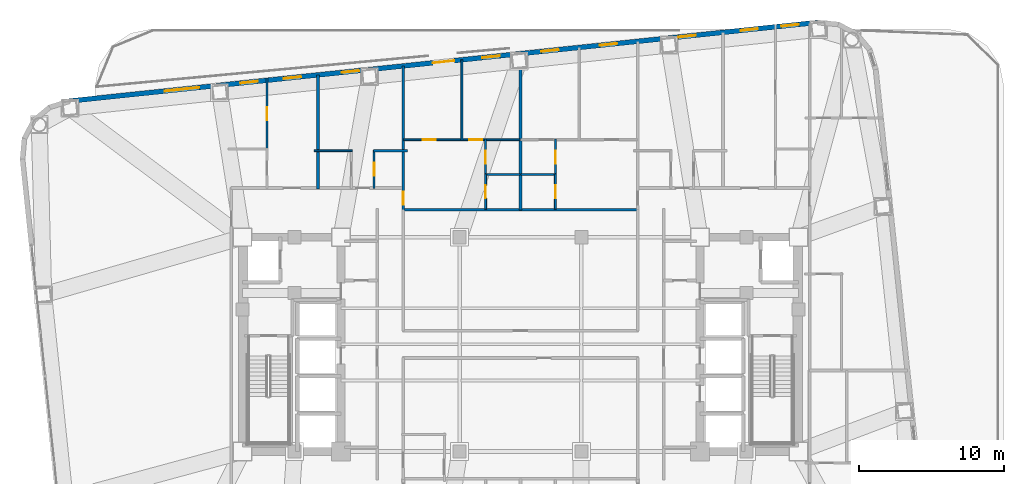
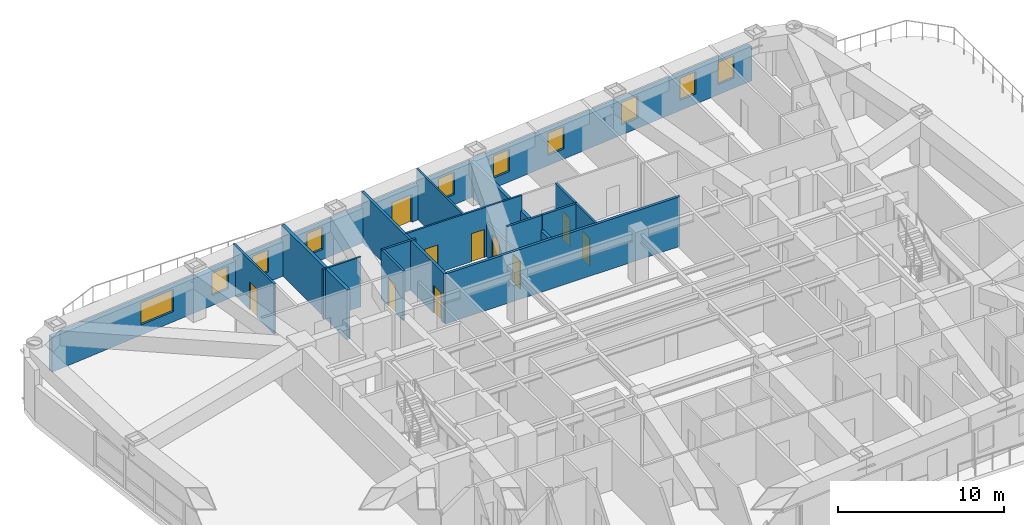
# One storey, part 11 of 15: 17 walls, 10 doors, 10 windows, 20 openings.
"""IFC4 building model written with IfcOpenShell, lengths in metres."""

import ifcopenshell
import ifcopenshell.guid

model = None  # the IFC model being written
_history = None  # IfcOwnerHistory: only IFC2X3 demands one
_inside = {}  # id of a spatial element -> (the spatial element, [elements in it])
_under = {}  # id of a project, library or spatial element -> (it, [spatial elements below it])
_declared = {}  # id of a project -> (the project, [libraries it declares])
_typed = {}  # id of a type object -> (the type object, [elements of that type])
_made_of = {}  # id of a material, layer set ... -> (it, [elements and type objects made of it])


def new_model(schema):
    """Start an empty IFC model of exactly this schema.

    Asked for "IFC4X3", IfcOpenShell would pick the latest addendum, in which some entities
    have other attributes; the version numbers below select the first issue.
    IFC2X3 requires an IfcOwnerHistory on every rooted entity: one is made here for all.
    """
    global model, _history
    if schema == "IFC4X3":
        model = ifcopenshell.file(schema_version=(4, 3, 0, 0))
    else:
        model = ifcopenshell.file(schema=schema)
    _inside.clear()
    _under.clear()
    _declared.clear()
    _typed.clear()
    _made_of.clear()
    _history = None
    if model.schema == "IFC2X3":
        org = make("IfcOrganization", Name="unknown")
        user = make(
            "IfcPersonAndOrganization",
            ThePerson=make("IfcPerson", FamilyName="unknown"),
            TheOrganization=org,
        )
        app = make(
            "IfcApplication",
            ApplicationDeveloper=org,
            Version="unknown",
            ApplicationFullName="unknown",
            ApplicationIdentifier="unknown",
        )
        _history = make(
            "IfcOwnerHistory",
            OwningUser=user,
            OwningApplication=app,
            ChangeAction="ADDED",
            CreationDate=0,
        )
    return model


def make(cls, **values):
    """One entity of the class cls with the attributes given. An attribute that is None is left unset."""
    return model.create_entity(
        cls, **{name: value for name, value in values.items() if value is not None}
    )


def rooted(cls, **values):
    """An entity with a GlobalId (a new one), such as an element, a storey or a relation."""
    return make(cls, GlobalId=ifcopenshell.guid.new(), OwnerHistory=_history, **values)


def si_unit(unit_type, name, prefix=None):
    """IfcSIUnit, for example si_unit("LENGTHUNIT", "METRE", prefix="MILLI")."""
    return make("IfcSIUnit", UnitType=unit_type, Prefix=prefix, Name=name)


def assignment(units):
    """IfcUnitAssignment: the units of a project."""
    return None if units is None else make("IfcUnitAssignment", Units=units)


def point(xyz):
    """IfcCartesianPoint."""
    return None if xyz is None else make("IfcCartesianPoint", Coordinates=xyz)


def direction(xyz):
    """IfcDirection."""
    return None if xyz is None else make("IfcDirection", DirectionRatios=xyz)


def frame(location, z_axis=None, x_axis=None):
    """IfcAxis2Placement3D, a coordinate frame: its origin and axes. An axis left out is left unset."""
    return make(
        "IfcAxis2Placement3D",
        Location=point(location),
        Axis=direction(z_axis),
        RefDirection=direction(x_axis),
    )


def frame_2d(location, x_axis=None):
    """IfcAxis2Placement2D, a coordinate frame in the plane: its origin and x axis."""
    return make(
        "IfcAxis2Placement2D", Location=point(location), RefDirection=direction(x_axis)
    )


def origin():
    """The frame at (0, 0, 0) with its axes left unset."""
    return frame((0.0, 0.0, 0.0))


def place(relative_to, where):
    """IfcLocalPlacement: puts the frame where relative to a parent placement (None: the world)."""
    return make(
        "IfcLocalPlacement", PlacementRelTo=relative_to, RelativePlacement=where
    )


def context(
    kind, dimensions, precision=None, world=None, true_north=None, identifier=None
):
    """IfcGeometricRepresentationContext, for example the 3D "Model" context."""
    return make(
        "IfcGeometricRepresentationContext",
        ContextIdentifier=identifier,
        ContextType=kind,
        CoordinateSpaceDimension=dimensions,
        Precision=precision,
        WorldCoordinateSystem=world,
        TrueNorth=true_north,
    )


def subcontext(parent, identifier, kind, view, scale=None):
    """IfcGeometricRepresentationSubContext, for example "Body" below "Model"."""
    return make(
        "IfcGeometricRepresentationSubContext",
        ContextIdentifier=identifier,
        ContextType=kind,
        ParentContext=parent,
        TargetScale=scale,
        TargetView=view,
    )


def project(units=None, contexts=None):
    """IfcProject with its units and contexts."""
    return rooted(
        "IfcProject",
        Name="project",
        RepresentationContexts=contexts,
        UnitsInContext=assignment(units),
    )


def spatial(cls, under=None, at=None, **own):
    """A site, building, storey or space (cls), placed at a placement, below another one or the project."""
    s = rooted(cls, ObjectPlacement=at, **own)
    if under is not None:
        _under.setdefault(under.id(), (under, []))[1].append(s)
    return s


def profile(cls, at=None, kind="AREA", **sizes):
    """A parametric profile (cls). Its sizes go by their IFC names, for example OverallWidth=200.0."""
    return make(cls, ProfileType=kind, Position=at, **sizes)


def rectangle(**sizes):
    """IfcRectangleProfileDef."""
    return profile("IfcRectangleProfileDef", **sizes)


def extrude(swept, where, along, depth):
    """IfcExtrudedAreaSolid: the profile swept, set in the frame where, extruded along a direction by depth."""
    return make(
        "IfcExtrudedAreaSolid",
        SweptArea=swept,
        Position=where,
        ExtrudedDirection=direction(along),
        Depth=depth,
    )


def shape(context_of_items, identifier, shape_type, items):
    """IfcShapeRepresentation: the items that make up one representation, for example the "Body"."""
    return make(
        "IfcShapeRepresentation",
        ContextOfItems=context_of_items,
        RepresentationIdentifier=identifier,
        RepresentationType=shape_type,
        Items=items,
    )


def material(Name=None, Category=None):
    """IfcMaterial."""
    return make("IfcMaterial", Name=Name, Category=Category)


def layer(
    of_material, thickness, ventilated=None, Name=None, Category=None, Priority=None
):
    """IfcMaterialLayer: one layer of a wall or slab, of a material (None: an air gap)."""
    return make(
        "IfcMaterialLayer",
        Material=of_material,
        LayerThickness=thickness,
        IsVentilated=ventilated,
        Name=Name,
        Category=Category,
        Priority=Priority,
    )


def layer_set(layers, Name=None):
    """IfcMaterialLayerSet."""
    return make("IfcMaterialLayerSet", MaterialLayers=layers, LayerSetName=Name)


def made_of(thing, what):
    """Note that an element or type object is made of a material, layer set ...; save() writes the relation."""
    if what is not None:
        _made_of.setdefault(what.id(), (what, []))[1].append(thing)
    return thing


def type_object(cls, material=None, **own):
    """A type object (cls), such as IfcWallType, which elements share."""
    return made_of(rooted(cls, **own), material)


def element(
    cls,
    number,
    at=None,
    inside=None,
    cuts=None,
    type_object=None,
    material=None,
    context=None,
    identifier="Body",
    shape_type=None,
    held_by="IfcProductDefinitionShape",
    body=None,
    shapes=None,
    **own,
):
    """One element of the class cls, such as IfcWall. Its Tag is "e" and its number.

    at: its placement. inside: the storey or other place that contains it. cuts: it is an
    opening in that element (IfcRelVoidsElement). A single representation is given by context,
    identifier, shape_type and body (its items); several are given by shapes. held_by: the class
    of the entity that holds the representations. save() writes the other relations.
    """
    e = rooted(cls, Tag="e%d" % number, ObjectPlacement=at, **own)
    if body is not None:
        shapes = [shape(context, identifier, shape_type, body)]
    if shapes is not None:
        e.Representation = make(held_by, Representations=shapes)
    if inside is not None:
        _inside.setdefault(inside.id(), (inside, []))[1].append(e)
    if cuts is not None:
        rooted(
            "IfcRelVoidsElement", RelatingBuildingElement=cuts, RelatedOpeningElement=e
        )
    if type_object is not None:
        _typed.setdefault(type_object.id(), (type_object, []))[1].append(e)
    return made_of(e, material)


def fill(opening, filler):
    """IfcRelFillsElement: the door or window that sits in an opening."""
    return rooted(
        "IfcRelFillsElement",
        RelatingOpeningElement=opening,
        RelatedBuildingElement=filler,
    )


def aggregate(whole, parts):
    """IfcRelAggregates: a whole, such as a stair, and the parts it consists of."""
    return rooted("IfcRelAggregates", RelatingObject=whole, RelatedObjects=parts)


def save(model, path):
    """Write the relations noted so far, then the file.

    IfcRelAggregates (storeys below a building ...), IfcRelContainedInSpatialStructure (elements
    in a storey), IfcRelDefinesByType, IfcRelAssociatesMaterial and IfcRelDeclares: one each for
    every whole, place, type object, material and project.
    """
    for whole, parts in _under.values():
        aggregate(whole, parts)
    for where, things in _inside.values():
        rooted(
            "IfcRelContainedInSpatialStructure",
            RelatedElements=things,
            RelatingStructure=where,
        )
    for kind, things in _typed.values():
        rooted("IfcRelDefinesByType", RelatedObjects=things, RelatingType=kind)
    for what, things in _made_of.values():
        rooted("IfcRelAssociatesMaterial", RelatedObjects=things, RelatingMaterial=what)
    for by, libraries in _declared.values():
        rooted("IfcRelDeclares", RelatingContext=by, RelatedDefinitions=libraries)
    model.write(path)


model = new_model("IFC4")

# Units and contexts
model_context = context("Model", 3, precision=1e-05, world=origin(), true_north=direction((0.0, 1.0)))
body_context = subcontext(model_context, "Body", "Model", "MODEL_VIEW")
ifc_project = project(units=[si_unit("LENGTHUNIT", "METRE"), si_unit("AREAUNIT", "SQUARE_METRE"), si_unit("VOLUMEUNIT", "CUBIC_METRE"), si_unit("PLANEANGLEUNIT", "RADIAN"), si_unit("MASSUNIT", "GRAM", prefix="KILO")], contexts=[model_context])

# Site, building, storey
site_placement = place(None, origin())
site = spatial("IfcSite", under=ifc_project, at=site_placement, CompositionType="ELEMENT")
building_placement = place(site_placement, origin())
building = spatial("IfcBuilding", under=site, at=building_placement, Name="Voryun Gate Residences", CompositionType="ELEMENT")
storey_placement = place(building_placement, frame((0.0, 0.0, 140.39990234375)))
storey = spatial("IfcBuildingStorey", under=building, at=storey_placement, Name="L34", CompositionType="ELEMENT", Elevation=140.39990234375)

# Wall
ifc_material_1 = material(Name="Gypsum acoustic fireboard")
ifc_layer_1 = layer(ifc_material_1, 0.179931640625, Name="W_CORR_RATED_180")
ifc_layer_set_1 = layer_set([ifc_layer_1], Name="Gypsum acoustic fireboard")
wall_type_1 = type_object("IfcWallType", Name="W_CORR_RATED_180", PredefinedType="PARTITIONING", material=ifc_layer_set_1)
wall_1_placement = place(storey_placement, frame((-8.14990234375, 9.2900390625, 0.0), z_axis=(0.0, 0.0, 1.0), x_axis=(1.0, 0.0, 0.0)))
element("IfcWall", 1, at=wall_1_placement, inside=storey, type_object=wall_type_1, Name="Partition wall WP-L34-Z2N", PredefinedType="PARTITIONING", context=body_context, shape_type="SweptSolid", body=[
    extrude(rectangle(XDim=16.2998046875, YDim=0.179931640625, at=frame_2d((8.14990234375, 0.0))), origin(), (0.0, 0.0, 1.0), 3.650146484375),
])

# Wall, opening, door
wall_2_placement = place(storey_placement, frame((-8.10009765625, 9.2900390625, 0.0), z_axis=(0.0, 0.0, 1.0), x_axis=(0.0, 1.0, 0.0)))
wall_2 = element("IfcWall", 2, at=wall_2_placement, inside=storey, type_object=wall_type_1, Name="Partition wall WP-L34-NZV-1", PredefinedType="PARTITIONING", context=body_context, shape_type="SweptSolid", body=[
    extrude(rectangle(XDim=9.936279296875, YDim=0.179931640625, at=frame_2d((4.96826171875, 0.0))), origin(), (0.0, 0.0, 1.0), 3.650146484375),
])
opening_1_placement = place(wall_2_placement, frame((0.349853515625, 0.0, 0.0)))
opening_1 = element("IfcOpeningElement", 3, at=opening_1_placement, cuts=wall_2, Name="Opening D-INT-2", PredefinedType="OPENING", context=body_context, shape_type="SweptSolid", body=[
    extrude(rectangle(XDim=0.89990234375, YDim=2.050048828125, at=frame_2d((0.449951171875, 1.02490234375))), frame((0.0, 0.099853515625, 0.0), z_axis=(0.0, -1.0, 0.0), x_axis=(1.0, 0.0, 0.0)), (0.0, 0.0, 1.0), 0.199951171875),
])
ifc_material_2 = material(Name="Architectural oak veneer")
door_type_1 = type_object("IfcDoorType", Name="DR_INT_BATH_900", OperationType="NOTDEFINED", PredefinedType="DOOR", material=ifc_material_2)
door_1_placement = place(opening_1_placement, origin())
door_1 = element("IfcDoor", 4, at=door_1_placement, inside=storey, type_object=door_type_1, Name="Door DR-L34-NZENT-1", OperationType="SINGLE_SWING_LEFT", OverallHeight=2.050048828125, OverallWidth=0.89990234375, PredefinedType="DOOR", context=body_context, shape_type="SweptSolid", body=[
    extrude(rectangle(XDim=0.89990234375, YDim=2.050048828125, at=frame_2d((0.449951171875, 1.02490234375))), frame((0.0, 0.02490234375, 0.0), z_axis=(0.0, -1.0, 0.0), x_axis=(1.0, 0.0, 0.0)), (0.0, 0.0, 1.0), 0.050048828125),
])
fill(opening_1, door_1)

# Wall, openings, door, windows
ifc_material_3 = material(Name="Charcoal terracotta masonry", Category="masonry")
ifc_layer_2 = layer(ifc_material_3, 0.340087890625, Name="W_EXT_TERRACOTTA_340")
ifc_layer_set_2 = layer_set([ifc_layer_2], Name="Charcoal terracotta masonry")
wall_type_2 = type_object("IfcWallType", Name="W_EXT_TERRACOTTA_340", PredefinedType="ELEMENTEDWALL", material=ifc_layer_set_2)
wall_3_placement = place(storey_placement, frame((-31.155517578125, 16.80322265625, 0.0), z_axis=(0.0, 0.0, 1.0), x_axis=(0.99452209583, 0.104526555986, 0.0)))
wall_3 = element("IfcWall", 5, at=wall_3_placement, inside=storey, type_object=wall_type_2, Name="Exterior wall WEXT-L34-11", PredefinedType="ELEMENTEDWALL", context=body_context, shape_type="SweptSolid", body=[
    extrude(rectangle(XDim=51.966552734375, YDim=0.340087890625, at=frame_2d((25.9833984375, 0.0))), origin(), (0.0, 0.0, 1.0), 2.5400390625),
])
opening_2_placement = place(wall_3_placement, frame((25.23291015625, 0.0, 0.0)))
opening_2 = element("IfcOpeningElement", 6, at=opening_2_placement, cuts=wall_3, Name="Opening D-TER-1", PredefinedType="OPENING", context=body_context, shape_type="SweptSolid", body=[
    extrude(rectangle(XDim=1.5, YDim=2.050048828125, at=frame_2d((0.75, 1.02490234375))), frame((0.0, 0.179931640625, 0.0), z_axis=(0.0, -1.0, 0.0), x_axis=(1.0, 0.0, 0.0)), (0.0, 0.0, 1.0), 0.360107421875),
])
opening_3_placement = place(wall_3_placement, frame((6.611083984375, 0.0, 0.75)))
opening_3 = element("IfcOpeningElement", 7, at=opening_3_placement, cuts=wall_3, Name="Opening WN2", PredefinedType="OPENING", context=body_context, shape_type="SweptSolid", body=[
    extrude(rectangle(XDim=2.39990234375, YDim=1.6298828125, at=frame_2d((1.199951171875, 0.81494140625))), frame((0.0, 0.179931640625, 0.0), z_axis=(0.0, -1.0, 0.0), x_axis=(1.0, 0.0, 0.0)), (0.0, 0.0, 1.0), 0.360107421875),
])
opening_4_placement = place(wall_3_placement, frame((14.883544921875, 0.0, 0.75)))
opening_4 = element("IfcOpeningElement", 8, at=opening_4_placement, cuts=wall_3, Name="Opening WN6", PredefinedType="OPENING", context=body_context, shape_type="SweptSolid", body=[
    extrude(rectangle(XDim=1.199951171875, YDim=1.6298828125, at=frame_2d((0.60009765625, 0.81494140625))), frame((0.0, 0.179931640625, 0.0), z_axis=(0.0, -1.0, 0.0), x_axis=(1.0, 0.0, 0.0)), (0.0, 0.0, 1.0), 0.360107421875),
])
opening_5_placement = place(wall_3_placement, frame((11.882080078125, 0.0, 0.75)))
opening_5 = element("IfcOpeningElement", 9, at=opening_5_placement, cuts=wall_3, Name="Opening WN6", PredefinedType="OPENING", context=body_context, shape_type="SweptSolid", body=[
    extrude(rectangle(XDim=1.199951171875, YDim=1.6298828125, at=frame_2d((0.60009765625, 0.81494140625))), frame((0.0, 0.179931640625, 0.0), z_axis=(0.0, -1.0, 0.0), x_axis=(1.0, 0.0, 0.0)), (0.0, 0.0, 1.0), 0.360107421875),
])
opening_6_placement = place(wall_3_placement, frame((18.908935546875, 0.0, 0.75)))
opening_6 = element("IfcOpeningElement", 10, at=opening_6_placement, cuts=wall_3, Name="Opening WN6", PredefinedType="OPENING", context=body_context, shape_type="SweptSolid", body=[
    extrude(rectangle(XDim=1.199951171875, YDim=1.6298828125, at=frame_2d((0.60009765625, 0.81494140625))), frame((0.0, 0.179931640625, 0.0), z_axis=(0.0, -1.0, 0.0), x_axis=(1.0, 0.0, 0.0)), (0.0, 0.0, 1.0), 0.360107421875),
])
opening_7_placement = place(wall_3_placement, frame((42.300537109375, 0.0, 0.75)))
opening_7 = element("IfcOpeningElement", 11, at=opening_7_placement, cuts=wall_3, Name="Opening WN6", PredefinedType="OPENING", context=body_context, shape_type="SweptSolid", body=[
    extrude(rectangle(XDim=1.199951171875, YDim=1.6298828125, at=frame_2d((0.60009765625, 0.81494140625))), frame((0.0, 0.179931640625, 0.0), z_axis=(0.0, -1.0, 0.0), x_axis=(1.0, 0.0, 0.0)), (0.0, 0.0, 1.0), 0.360107421875),
])
opening_8_placement = place(wall_3_placement, frame((46.616455078125, 0.0, 0.75)))
opening_8 = element("IfcOpeningElement", 12, at=opening_8_placement, cuts=wall_3, Name="Opening WN6", PredefinedType="OPENING", context=body_context, shape_type="SweptSolid", body=[
    extrude(rectangle(XDim=1.199951171875, YDim=1.6298828125, at=frame_2d((0.60009765625, 0.81494140625))), frame((0.0, 0.179931640625, 0.0), z_axis=(0.0, -1.0, 0.0), x_axis=(1.0, 0.0, 0.0)), (0.0, 0.0, 1.0), 0.360107421875),
])
opening_9_placement = place(wall_3_placement, frame((49.45751953125, 0.0, 0.75)))
opening_9 = element("IfcOpeningElement", 13, at=opening_9_placement, cuts=wall_3, Name="Opening WN6", PredefinedType="OPENING", context=body_context, shape_type="SweptSolid", body=[
    extrude(rectangle(XDim=1.199951171875, YDim=1.6298828125, at=frame_2d((0.60009765625, 0.81494140625))), frame((0.0, 0.179931640625, 0.0), z_axis=(0.0, -1.0, 0.0), x_axis=(1.0, 0.0, 0.0)), (0.0, 0.0, 1.0), 0.360107421875),
])
opening_10_placement = place(wall_3_placement, frame((28.68359375, 0.0, 0.75)))
opening_10 = element("IfcOpeningElement", 14, at=opening_10_placement, cuts=wall_3, Name="Opening WN6", PredefinedType="OPENING", context=body_context, shape_type="SweptSolid", body=[
    extrude(rectangle(XDim=1.199951171875, YDim=1.6298828125, at=frame_2d((0.60009765625, 0.81494140625))), frame((0.0, 0.179931640625, 0.0), z_axis=(0.0, -1.0, 0.0), x_axis=(1.0, 0.0, 0.0)), (0.0, 0.0, 1.0), 0.360107421875),
])
opening_11_placement = place(wall_3_placement, frame((32.76611328125, 0.0, 0.75)))
opening_11 = element("IfcOpeningElement", 15, at=opening_11_placement, cuts=wall_3, Name="Opening WN6", PredefinedType="OPENING", context=body_context, shape_type="SweptSolid", body=[
    extrude(rectangle(XDim=1.199951171875, YDim=1.6298828125, at=frame_2d((0.60009765625, 0.81494140625))), frame((0.0, 0.179931640625, 0.0), z_axis=(0.0, -1.0, 0.0), x_axis=(1.0, 0.0, 0.0)), (0.0, 0.0, 1.0), 0.360107421875),
])
opening_12_placement = place(wall_3_placement, frame((36.828369140625, 0.0, 0.75)))
opening_12 = element("IfcOpeningElement", 16, at=opening_12_placement, cuts=wall_3, Name="Opening WN6", PredefinedType="OPENING", context=body_context, shape_type="SweptSolid", body=[
    extrude(rectangle(XDim=1.199951171875, YDim=1.6298828125, at=frame_2d((0.60009765625, 0.81494140625))), frame((0.0, 0.179931640625, 0.0), z_axis=(0.0, -1.0, 0.0), x_axis=(1.0, 0.0, 0.0)), (0.0, 0.0, 1.0), 0.360107421875),
])
ifc_material_4 = material(Name="Thermally broken aluminium and low-E glass", Category="aluminium")
door_type_2 = type_object("IfcDoorType", Name="DR_TERR_EXIT_1500", OperationType="NOTDEFINED", PredefinedType="DOOR", material=ifc_material_4)
door_2_placement = place(opening_2_placement, origin())
door_2 = element("IfcDoor", 17, at=door_2_placement, inside=storey, type_object=door_type_2, Name="Door DR-L34-OUT-02", OperationType="SLIDING_TO_RIGHT", OverallHeight=2.050048828125, OverallWidth=1.5, PredefinedType="DOOR", context=body_context, shape_type="SweptSolid", body=[
    extrude(rectangle(XDim=1.5, YDim=2.050048828125, at=frame_2d((0.75, 1.02490234375))), frame((0.0, 0.02490234375, 0.0), z_axis=(0.0, -1.0, 0.0), x_axis=(1.0, 0.0, 0.0)), (0.0, 0.0, 1.0), 0.050048828125),
])
fill(opening_2, door_2)
ifc_material_5 = material(Name="Laminated low-E glass", Category="glass")
window_type_1 = type_object("IfcWindowType", Name="WN_POD_SLOT_1200", PartitioningType="SINGLE_PANEL", PredefinedType="WINDOW", material=ifc_material_5)
window_1_placement = place(opening_4_placement, origin())
window_1 = element("IfcWindow", 18, at=window_1_placement, inside=storey, type_object=window_type_1, Name="Window WN-L34-DWFIX-01", OverallHeight=1.6298828125, OverallWidth=1.199951171875, PartitioningType="SINGLE_PANEL", PredefinedType="WINDOW", context=body_context, shape_type="SweptSolid", body=[
    extrude(rectangle(XDim=1.199951171875, YDim=1.6298828125, at=frame_2d((0.60009765625, 0.81494140625))), frame((0.0, 0.030029296875, 0.0), z_axis=(0.0, -1.0, 0.0), x_axis=(1.0, 0.0, 0.0)), (0.0, 0.0, 1.0), 0.06005859375),
])
fill(opening_4, window_1)
window_2_placement = place(opening_5_placement, origin())
window_2 = element("IfcWindow", 19, at=window_2_placement, inside=storey, type_object=window_type_1, Name="Window WN-L34-DWFIX-02", OverallHeight=1.6298828125, OverallWidth=1.199951171875, PartitioningType="SINGLE_PANEL", PredefinedType="WINDOW", context=body_context, shape_type="SweptSolid", body=[
    extrude(rectangle(XDim=1.199951171875, YDim=1.6298828125, at=frame_2d((0.60009765625, 0.81494140625))), frame((0.0, 0.030029296875, 0.0), z_axis=(0.0, -1.0, 0.0), x_axis=(1.0, 0.0, 0.0)), (0.0, 0.0, 1.0), 0.06005859375),
])
fill(opening_5, window_2)
window_3_placement = place(opening_6_placement, origin())
window_3 = element("IfcWindow", 20, at=window_3_placement, inside=storey, type_object=window_type_1, Name="Window WN-L34-DWFIX-03", OverallHeight=1.6298828125, OverallWidth=1.199951171875, PartitioningType="SINGLE_PANEL", PredefinedType="WINDOW", context=body_context, shape_type="SweptSolid", body=[
    extrude(rectangle(XDim=1.199951171875, YDim=1.6298828125, at=frame_2d((0.60009765625, 0.81494140625))), frame((0.0, 0.030029296875, 0.0), z_axis=(0.0, -1.0, 0.0), x_axis=(1.0, 0.0, 0.0)), (0.0, 0.0, 1.0), 0.06005859375),
])
fill(opening_6, window_3)
window_4_placement = place(opening_7_placement, origin())
window_4 = element("IfcWindow", 21, at=window_4_placement, inside=storey, type_object=window_type_1, Name="Window WN-L34-DWFIX-04", OverallHeight=1.6298828125, OverallWidth=1.199951171875, PartitioningType="SINGLE_PANEL", PredefinedType="WINDOW", context=body_context, shape_type="SweptSolid", body=[
    extrude(rectangle(XDim=1.199951171875, YDim=1.6298828125, at=frame_2d((0.60009765625, 0.81494140625))), frame((0.0, 0.030029296875, 0.0), z_axis=(0.0, -1.0, 0.0), x_axis=(1.0, 0.0, 0.0)), (0.0, 0.0, 1.0), 0.06005859375),
])
fill(opening_7, window_4)
window_5_placement = place(opening_8_placement, origin())
window_5 = element("IfcWindow", 22, at=window_5_placement, inside=storey, type_object=window_type_1, Name="Window WN-L34-DWFIX-05", OverallHeight=1.6298828125, OverallWidth=1.199951171875, PartitioningType="SINGLE_PANEL", PredefinedType="WINDOW", context=body_context, shape_type="SweptSolid", body=[
    extrude(rectangle(XDim=1.199951171875, YDim=1.6298828125, at=frame_2d((0.60009765625, 0.81494140625))), frame((0.0, 0.030029296875, 0.0), z_axis=(0.0, -1.0, 0.0), x_axis=(1.0, 0.0, 0.0)), (0.0, 0.0, 1.0), 0.06005859375),
])
fill(opening_8, window_5)
window_6_placement = place(opening_9_placement, origin())
window_6 = element("IfcWindow", 23, at=window_6_placement, inside=storey, type_object=window_type_1, Name="Window WN-L34-DWFIX-06", OverallHeight=1.6298828125, OverallWidth=1.199951171875, PartitioningType="SINGLE_PANEL", PredefinedType="WINDOW", context=body_context, shape_type="SweptSolid", body=[
    extrude(rectangle(XDim=1.199951171875, YDim=1.6298828125, at=frame_2d((0.60009765625, 0.81494140625))), frame((0.0, 0.030029296875, 0.0), z_axis=(0.0, -1.0, 0.0), x_axis=(1.0, 0.0, 0.0)), (0.0, 0.0, 1.0), 0.06005859375),
])
fill(opening_9, window_6)
window_7_placement = place(opening_10_placement, origin())
window_7 = element("IfcWindow", 24, at=window_7_placement, inside=storey, type_object=window_type_1, Name="Window WN-L34-DWFIX-07", OverallHeight=1.6298828125, OverallWidth=1.199951171875, PartitioningType="SINGLE_PANEL", PredefinedType="WINDOW", context=body_context, shape_type="SweptSolid", body=[
    extrude(rectangle(XDim=1.199951171875, YDim=1.6298828125, at=frame_2d((0.60009765625, 0.81494140625))), frame((0.0, 0.030029296875, 0.0), z_axis=(0.0, -1.0, 0.0), x_axis=(1.0, 0.0, 0.0)), (0.0, 0.0, 1.0), 0.06005859375),
])
fill(opening_10, window_7)
window_8_placement = place(opening_11_placement, origin())
window_8 = element("IfcWindow", 25, at=window_8_placement, inside=storey, type_object=window_type_1, Name="Window WN-L34-DWFIX-08", OverallHeight=1.6298828125, OverallWidth=1.199951171875, PartitioningType="SINGLE_PANEL", PredefinedType="WINDOW", context=body_context, shape_type="SweptSolid", body=[
    extrude(rectangle(XDim=1.199951171875, YDim=1.6298828125, at=frame_2d((0.60009765625, 0.81494140625))), frame((0.0, 0.030029296875, 0.0), z_axis=(0.0, -1.0, 0.0), x_axis=(1.0, 0.0, 0.0)), (0.0, 0.0, 1.0), 0.06005859375),
])
fill(opening_11, window_8)
window_9_placement = place(opening_12_placement, origin())
window_9 = element("IfcWindow", 26, at=window_9_placement, inside=storey, type_object=window_type_1, Name="Window WN-L34-DWFIX-09", OverallHeight=1.6298828125, OverallWidth=1.199951171875, PartitioningType="SINGLE_PANEL", PredefinedType="WINDOW", context=body_context, shape_type="SweptSolid", body=[
    extrude(rectangle(XDim=1.199951171875, YDim=1.6298828125, at=frame_2d((0.60009765625, 0.81494140625))), frame((0.0, 0.030029296875, 0.0), z_axis=(0.0, -1.0, 0.0), x_axis=(1.0, 0.0, 0.0)), (0.0, 0.0, 1.0), 0.06005859375),
])
fill(opening_12, window_9)
ifc_material_6 = material(Name="Laminated low-E glass", Category="glass")
window_type_2 = type_object("IfcWindowType", Name="WN_RES_WIDE_2400", PartitioningType="SINGLE_PANEL", PredefinedType="WINDOW", material=ifc_material_6)
window_10_placement = place(opening_3_placement, origin())
window_10 = element("IfcWindow", 27, at=window_10_placement, inside=storey, type_object=window_type_2, Name="Window WN-WEXT-L34-11-01", OverallHeight=1.6298828125, OverallWidth=2.39990234375, PartitioningType="SINGLE_PANEL", PredefinedType="WINDOW", context=body_context, shape_type="SweptSolid", body=[
    extrude(rectangle(XDim=2.39990234375, YDim=1.6298828125, at=frame_2d((1.199951171875, 0.81494140625))), frame((0.0, 0.030029296875, 0.0), z_axis=(0.0, -1.0, 0.0), x_axis=(1.0, 0.0, 0.0)), (0.0, 0.0, 1.0), 0.06005859375),
])
fill(opening_3, window_10)

# Walls
ifc_material_7 = material(Name="Concrete C40/50", Category="concrete")
ifc_layer_3 = layer(ifc_material_7, 0.219970703125, Name="W_PARTY_ACOUSTIC_220")
ifc_layer_set_3 = layer_set([ifc_layer_3], Name="Concrete C40/50")
wall_type_3 = type_object("IfcWallType", Name="W_PARTY_ACOUSTIC_220", PredefinedType="PARTITIONING", material=ifc_layer_set_3)
wall_4_placement = place(storey_placement, frame((-13.989990234375, 10.719970703125, 0.0), z_axis=(0.0, 0.0, 1.0), x_axis=(0.0, 1.0, 0.0)))
element("IfcWall", 28, at=wall_4_placement, inside=storey, type_object=wall_type_3, Name="Partition wall WP-L34-NPTY-1", PredefinedType="PARTITIONING", context=body_context, shape_type="SweptSolid", body=[
    extrude(rectangle(XDim=7.887451171875, YDim=0.219970703125, at=frame_2d((3.94384765625, 0.0))), origin(), (0.0, 0.0, 1.0), 3.650146484375),
])
wall_5_placement = place(storey_placement, frame((0.0, 9.2900390625, 0.0), z_axis=(0.0, 0.0, 1.0), x_axis=(0.0, 1.0, 0.0)))
element("IfcWall", 29, at=wall_5_placement, inside=storey, type_object=wall_type_3, Name="Partition wall WP-L34-NZMID", PredefinedType="PARTITIONING", context=body_context, shape_type="SweptSolid", body=[
    extrude(rectangle(XDim=10.787841796875, YDim=0.219970703125, at=frame_2d((5.39404296875, 0.0))), origin(), (0.0, 0.0, 1.0), 2.5400390625),
])
ifc_material_8 = material(Name="Gypsum acoustic partition")
ifc_layer_4 = layer(ifc_material_8, 0.125, Name="W_UNIT_PART_125")
ifc_layer_set_4 = layer_set([ifc_layer_4], Name="Gypsum acoustic partition")
wall_type_4 = type_object("IfcWallType", Name="W_UNIT_PART_125", PredefinedType="PARTITIONING", material=ifc_layer_set_4)
wall_6_placement = place(storey_placement, frame((-14.25, 13.3701171875, 0.0), z_axis=(0.0, 0.0, 1.0), x_axis=(1.0, 0.0, 0.0)))
element("IfcWall", 30, at=wall_6_placement, inside=storey, type_object=wall_type_4, Name="Partition wall WP-L34-N2-CHK", PredefinedType="PARTITIONING", context=body_context, shape_type="SweptSolid", body=[
    extrude(rectangle(XDim=2.6298828125, YDim=0.125, at=frame_2d((1.31494140625, 0.0))), origin(), (0.0, 0.0, 1.0), 3.650146484375),
])

# Wall, openings, doors
wall_7_placement = place(storey_placement, frame((-8.080078125, 14.1298828125, 0.0), z_axis=(0.0, 0.0, 1.0), x_axis=(1.0, 0.0, 0.0)))
wall_7 = element("IfcWall", 31, at=wall_7_placement, inside=storey, type_object=wall_type_4, Name="Partition wall WP-L34-NC1-HZ", PredefinedType="PARTITIONING", context=body_context, shape_type="SweptSolid", body=[
    extrude(rectangle(XDim=8.06005859375, YDim=0.125, at=frame_2d((4.030029296875, 0.0))), origin(), (0.0, 0.0, 1.0), 3.650146484375),
])
opening_13_placement = place(wall_7_placement, frame((1.3232421875, 0.0, 0.0)))
opening_13 = element("IfcOpeningElement", 32, at=opening_13_placement, cuts=wall_7, Name="Opening D-INT-2", PredefinedType="OPENING", context=body_context, shape_type="SweptSolid", body=[
    extrude(rectangle(XDim=0.89990234375, YDim=2.050048828125, at=frame_2d((0.449951171875, 1.02490234375))), frame((0.0, 0.072509765625, 0.0), z_axis=(0.0, -1.0, 0.0), x_axis=(1.0, 0.0, 0.0)), (0.0, 0.0, 1.0), 0.14501953125),
])
opening_14_placement = place(wall_7_placement, frame((4.547119140625, 0.0, 0.0)))
opening_14 = element("IfcOpeningElement", 33, at=opening_14_placement, cuts=wall_7, Name="Opening D-INT-2", PredefinedType="OPENING", context=body_context, shape_type="SweptSolid", body=[
    extrude(rectangle(XDim=0.89990234375, YDim=2.050048828125, at=frame_2d((0.449951171875, 1.02490234375))), frame((0.0, 0.072509765625, 0.0), z_axis=(0.0, -1.0, 0.0), x_axis=(1.0, 0.0, 0.0)), (0.0, 0.0, 1.0), 0.14501953125),
])
door_3_placement = place(opening_13_placement, origin())
door_3 = element("IfcDoor", 34, at=door_3_placement, inside=storey, type_object=door_type_1, Name="Door DR-L34-NC1-DMB", OperationType="SINGLE_SWING_LEFT", OverallHeight=2.050048828125, OverallWidth=0.89990234375, PredefinedType="DOOR", context=body_context, shape_type="SweptSolid", body=[
    extrude(rectangle(XDim=0.89990234375, YDim=2.050048828125, at=frame_2d((0.449951171875, 1.02490234375))), frame((0.0, 0.02490234375, 0.0), z_axis=(0.0, -1.0, 0.0), x_axis=(1.0, 0.0, 0.0)), (0.0, 0.0, 1.0), 0.050048828125),
])
fill(opening_13, door_3)
door_4_placement = place(opening_14_placement, origin())
door_4 = element("IfcDoor", 35, at=door_4_placement, inside=storey, type_object=door_type_1, Name="Door DR-L34-NC1-DBD2", OperationType="SINGLE_SWING_RIGHT", OverallHeight=2.050048828125, OverallWidth=0.89990234375, PredefinedType="DOOR", context=body_context, shape_type="SweptSolid", body=[
    extrude(rectangle(XDim=0.89990234375, YDim=2.050048828125, at=frame_2d((0.449951171875, 1.02490234375))), frame((0.0, 0.02490234375, 0.0), z_axis=(0.0, -1.0, 0.0), x_axis=(1.0, 0.0, 0.0)), (0.0, 0.0, 1.0), 0.050048828125),
])
fill(opening_14, door_4)

# Wall, opening, door
wall_8_placement = place(storey_placement, frame((-2.409912109375, 9.35009765625, 0.0), z_axis=(0.0, 0.0, 1.0), x_axis=(0.0, 1.0, 0.0)))
wall_8 = element("IfcWall", 36, at=wall_8_placement, inside=storey, type_object=wall_type_4, Name="Partition wall WP-L34-NC1-VK1", PredefinedType="PARTITIONING", context=body_context, shape_type="SweptSolid", body=[
    extrude(rectangle(XDim=2.409912109375, YDim=0.125, at=frame_2d((1.205078125, 0.0))), origin(), (0.0, 0.0, 1.0), 2.5400390625),
])
opening_15_placement = place(wall_8_placement, frame((0.7548828125, 0.0, 0.0)))
opening_15 = element("IfcOpeningElement", 37, at=opening_15_placement, cuts=wall_8, Name="Opening D-INT-2", PredefinedType="OPENING", context=body_context, shape_type="SweptSolid", body=[
    extrude(rectangle(XDim=0.89990234375, YDim=2.050048828125, at=frame_2d((0.449951171875, 1.02490234375))), frame((0.0, 0.072509765625, 0.0), z_axis=(0.0, -1.0, 0.0), x_axis=(1.0, 0.0, 0.0)), (0.0, 0.0, 1.0), 0.14501953125),
])
door_5_placement = place(opening_15_placement, origin())
door_5 = element("IfcDoor", 38, at=door_5_placement, inside=storey, type_object=door_type_1, Name="Door DR-L34-NC1-DK", OperationType="SINGLE_SWING_LEFT", OverallHeight=2.050048828125, OverallWidth=0.89990234375, PredefinedType="DOOR", context=body_context, shape_type="SweptSolid", body=[
    extrude(rectangle(XDim=0.89990234375, YDim=2.050048828125, at=frame_2d((0.449951171875, 1.02490234375))), frame((0.0, 0.02490234375, 0.0), z_axis=(0.0, -1.0, 0.0), x_axis=(1.0, 0.0, 0.0)), (0.0, 0.0, 1.0), 0.050048828125),
])
fill(opening_15, door_5)

# Wall
wall_9_placement = place(storey_placement, frame((-4.050048828125, 14.090087890625, 0.0), z_axis=(0.0, 0.0, 1.0), x_axis=(0.0, 1.0, 0.0)))
element("IfcWall", 39, at=wall_9_placement, inside=storey, type_object=wall_type_4, Name="Partition wall WP-L34-NC1-VBD", PredefinedType="PARTITIONING", context=body_context, shape_type="SweptSolid", body=[
    extrude(rectangle(XDim=5.56201171875, YDim=0.125, at=frame_2d((2.781005859375, 0.0))), origin(), (0.0, 0.0, 1.0), 3.650146484375),
])

# Wall, opening, door
wall_10_placement = place(storey_placement, frame((2.409912109375, 9.35009765625, 0.0), z_axis=(0.0, 0.0, 1.0), x_axis=(0.0, 1.0, 0.0)))
wall_10 = element("IfcWall", 40, at=wall_10_placement, inside=storey, type_object=wall_type_4, Name="Partition wall WP-L34-NC2-VK1", PredefinedType="PARTITIONING", context=body_context, shape_type="SweptSolid", body=[
    extrude(rectangle(XDim=2.409912109375, YDim=0.125, at=frame_2d((1.205078125, 0.0))), origin(), (0.0, 0.0, 1.0), 3.650146484375),
])
opening_16_placement = place(wall_10_placement, frame((0.7548828125, 0.0, 0.0)))
opening_16 = element("IfcOpeningElement", 41, at=opening_16_placement, cuts=wall_10, Name="Opening D-INT-2", PredefinedType="OPENING", context=body_context, shape_type="SweptSolid", body=[
    extrude(rectangle(XDim=0.89990234375, YDim=2.050048828125, at=frame_2d((0.449951171875, 1.02490234375))), frame((0.0, 0.072509765625, 0.0), z_axis=(0.0, -1.0, 0.0), x_axis=(1.0, 0.0, 0.0)), (0.0, 0.0, 1.0), 0.14501953125),
])
door_6_placement = place(opening_16_placement, origin())
door_6 = element("IfcDoor", 42, at=door_6_placement, inside=storey, type_object=door_type_1, Name="Door DR-L34-NC2-DK", OperationType="SINGLE_SWING_LEFT", OverallHeight=2.050048828125, OverallWidth=0.89990234375, PredefinedType="DOOR", context=body_context, shape_type="SweptSolid", body=[
    extrude(rectangle(XDim=0.89990234375, YDim=2.050048828125, at=frame_2d((0.449951171875, 1.02490234375))), frame((0.0, 0.02490234375, 0.0), z_axis=(0.0, -1.0, 0.0), x_axis=(1.0, 0.0, 0.0)), (0.0, 0.0, 1.0), 0.050048828125),
])
fill(opening_16, door_6)

ifc_material_9 = material(Name="Gypsum moisture-resistant partition")
ifc_layer_5 = layer(ifc_material_9, 0.14990234375, Name="W_WET_PLUMB_150")
ifc_layer_set_5 = layer_set([ifc_layer_5], Name="Gypsum moisture-resistant partition")
wall_type_5 = type_object("IfcWallType", Name="W_WET_PLUMB_150", PredefinedType="PLUMBINGWALL", material=ifc_layer_set_5)
wall_11_placement = place(storey_placement, frame((-17.51904296875, 13.4599609375, 0.0), z_axis=(0.0, 0.0, 1.0), x_axis=(0.0, 1.0, 0.0)))
wall_11 = element("IfcWall", 43, at=wall_11_placement, inside=storey, type_object=wall_type_5, Name="Partition wall WP-L34-N1-SVT2", PredefinedType="PLUMBINGWALL", context=body_context, shape_type="SweptSolid", body=[
    extrude(rectangle(XDim=4.92724609375, YDim=0.14990234375, at=frame_2d((2.463623046875, 0.0))), origin(), (0.0, 0.0, 1.0), 3.650146484375),
])
opening_17_placement = place(wall_11_placement, frame((2.013671875, 0.0, 0.0)))
opening_17 = element("IfcOpeningElement", 44, at=opening_17_placement, cuts=wall_11, Name="Opening D-INT-2", PredefinedType="OPENING", context=body_context, shape_type="SweptSolid", body=[
    extrude(rectangle(XDim=0.89990234375, YDim=2.050048828125, at=frame_2d((0.449951171875, 1.02490234375))), frame((0.0, 0.0849609375, 0.0), z_axis=(0.0, -1.0, 0.0), x_axis=(1.0, 0.0, 0.0)), (0.0, 0.0, 1.0), 0.169921875),
])
door_7_placement = place(opening_17_placement, origin())
door_7 = element("IfcDoor", 45, at=door_7_placement, inside=storey, type_object=door_type_1, Name="Door DR-L34-N1-DK", OperationType="SINGLE_SWING_RIGHT", OverallHeight=2.050048828125, OverallWidth=0.89990234375, PredefinedType="DOOR", context=body_context, shape_type="SweptSolid", body=[
    extrude(rectangle(XDim=0.89990234375, YDim=2.050048828125, at=frame_2d((0.449951171875, 1.02490234375))), frame((0.0, 0.02490234375, 0.0), z_axis=(0.0, -1.0, 0.0), x_axis=(1.0, 0.0, 0.0)), (0.0, 0.0, 1.0), 0.050048828125),
])
fill(opening_17, door_7)

wall_12_placement = place(storey_placement, frame((-10.10888671875, 10.780029296875, 0.0), z_axis=(0.0, 0.0, 1.0), x_axis=(0.0, 1.0, 0.0)))
wall_12 = element("IfcWall", 46, at=wall_12_placement, inside=storey, type_object=wall_type_5, Name="Partition wall WP-L34-N2-CVB", PredefinedType="PLUMBINGWALL", context=body_context, shape_type="SweptSolid", body=[
    extrude(rectangle(XDim=2.64990234375, YDim=0.14990234375, at=frame_2d((1.324951171875, 0.0))), origin(), (0.0, 0.0, 1.0), 3.650146484375),
])
opening_18_placement = place(wall_12_placement, frame((0.875, 0.0, 0.0)))
opening_18 = element("IfcOpeningElement", 47, at=opening_18_placement, cuts=wall_12, Name="Opening D-INT-2", PredefinedType="OPENING", context=body_context, shape_type="SweptSolid", body=[
    extrude(rectangle(XDim=0.89990234375, YDim=2.050048828125, at=frame_2d((0.449951171875, 1.02490234375))), frame((0.0, 0.0849609375, 0.0), z_axis=(0.0, -1.0, 0.0), x_axis=(1.0, 0.0, 0.0)), (0.0, 0.0, 1.0), 0.169921875),
])
door_8_placement = place(opening_18_placement, origin())
door_8 = element("IfcDoor", 48, at=door_8_placement, inside=storey, type_object=door_type_1, Name="Door DR-L34-N2-DB", OperationType="SINGLE_SWING_RIGHT", OverallHeight=2.050048828125, OverallWidth=0.89990234375, PredefinedType="DOOR", context=body_context, shape_type="SweptSolid", body=[
    extrude(rectangle(XDim=0.89990234375, YDim=2.050048828125, at=frame_2d((0.449951171875, 1.02490234375))), frame((0.0, 0.02490234375, 0.0), z_axis=(0.0, -1.0, 0.0), x_axis=(1.0, 0.0, 0.0)), (0.0, 0.0, 1.0), 0.050048828125),
])
fill(opening_18, door_8)

# Wall
wall_13_placement = place(storey_placement, frame((-10.1689453125, 13.3701171875, 0.0), z_axis=(0.0, 0.0, 1.0), x_axis=(1.0, 0.0, 0.0)))
element("IfcWall", 49, at=wall_13_placement, inside=storey, type_object=wall_type_5, Name="Partition wall WP-L34-N2-CHB", PredefinedType="PLUMBINGWALL", context=body_context, shape_type="SweptSolid", body=[
    extrude(rectangle(XDim=2.348876953125, YDim=0.14990234375, at=frame_2d((1.17431640625, 0.0))), origin(), (0.0, 0.0, 1.0), 3.650146484375),
])

# Wall, opening, door
wall_14_placement = place(storey_placement, frame((-2.409912109375, 11.699951171875, 0.0), z_axis=(0.0, 0.0, 1.0), x_axis=(0.0, 1.0, 0.0)))
wall_14 = element("IfcWall", 50, at=wall_14_placement, inside=storey, type_object=wall_type_5, Name="Partition wall WP-L34-NC1-VK2", PredefinedType="PLUMBINGWALL", context=body_context, shape_type="SweptSolid", body=[
    extrude(rectangle(XDim=2.469970703125, YDim=0.14990234375, at=frame_2d((1.23486328125, 0.0))), origin(), (0.0, 0.0, 1.0), 2.5400390625),
])
opening_19_placement = place(wall_14_placement, frame((0.784912109375, 0.0, 0.0)))
opening_19 = element("IfcOpeningElement", 51, at=opening_19_placement, cuts=wall_14, Name="Opening D-INT-2", PredefinedType="OPENING", context=body_context, shape_type="SweptSolid", body=[
    extrude(rectangle(XDim=0.89990234375, YDim=2.050048828125, at=frame_2d((0.449951171875, 1.02490234375))), frame((0.0, 0.0849609375, 0.0), z_axis=(0.0, -1.0, 0.0), x_axis=(1.0, 0.0, 0.0)), (0.0, 0.0, 1.0), 0.169921875),
])
door_9_placement = place(opening_19_placement, origin())
door_9 = element("IfcDoor", 52, at=door_9_placement, inside=storey, type_object=door_type_1, Name="Door DR-L34-NC1-DB", OperationType="SINGLE_SWING_RIGHT", OverallHeight=2.050048828125, OverallWidth=0.89990234375, PredefinedType="DOOR", context=body_context, shape_type="SweptSolid", body=[
    extrude(rectangle(XDim=0.89990234375, YDim=2.050048828125, at=frame_2d((0.449951171875, 1.02490234375))), frame((0.0, 0.02490234375, 0.0), z_axis=(0.0, -1.0, 0.0), x_axis=(1.0, 0.0, 0.0)), (0.0, 0.0, 1.0), 0.050048828125),
])
fill(opening_19, door_9)

# Wall
wall_15_placement = place(storey_placement, frame((-2.449951171875, 11.72998046875, 0.0), z_axis=(0.0, 0.0, 1.0), x_axis=(1.0, 0.0, 0.0)))
element("IfcWall", 53, at=wall_15_placement, inside=storey, type_object=wall_type_5, Name="Partition wall WP-L34-NC1-HKB", PredefinedType="PLUMBINGWALL", context=body_context, shape_type="SweptSolid", body=[
    extrude(rectangle(XDim=2.429931640625, YDim=0.14990234375, at=frame_2d((1.21484375, 0.0))), origin(), (0.0, 0.0, 1.0), 3.650146484375),
])

# Wall, opening, door
wall_16_placement = place(storey_placement, frame((2.409912109375, 11.699951171875, 0.0), z_axis=(0.0, 0.0, 1.0), x_axis=(0.0, 1.0, 0.0)))
wall_16 = element("IfcWall", 54, at=wall_16_placement, inside=storey, type_object=wall_type_5, Name="Partition wall WP-L34-NC2-VK2", PredefinedType="PLUMBINGWALL", context=body_context, shape_type="SweptSolid", body=[
    extrude(rectangle(XDim=2.469970703125, YDim=0.14990234375, at=frame_2d((1.23486328125, 0.0))), origin(), (0.0, 0.0, 1.0), 3.650146484375),
])
opening_20_placement = place(wall_16_placement, frame((0.784912109375, 0.0, 0.0)))
opening_20 = element("IfcOpeningElement", 55, at=opening_20_placement, cuts=wall_16, Name="Opening D-INT-2", PredefinedType="OPENING", context=body_context, shape_type="SweptSolid", body=[
    extrude(rectangle(XDim=0.89990234375, YDim=2.050048828125, at=frame_2d((0.449951171875, 1.02490234375))), frame((0.0, 0.0849609375, 0.0), z_axis=(0.0, -1.0, 0.0), x_axis=(1.0, 0.0, 0.0)), (0.0, 0.0, 1.0), 0.169921875),
])
door_10_placement = place(opening_20_placement, origin())
door_10 = element("IfcDoor", 56, at=door_10_placement, inside=storey, type_object=door_type_1, Name="Door DR-L34-NC2-DB", OperationType="SINGLE_SWING_RIGHT", OverallHeight=2.050048828125, OverallWidth=0.89990234375, PredefinedType="DOOR", context=body_context, shape_type="SweptSolid", body=[
    extrude(rectangle(XDim=0.89990234375, YDim=2.050048828125, at=frame_2d((0.449951171875, 1.02490234375))), frame((0.0, 0.02490234375, 0.0), z_axis=(0.0, -1.0, 0.0), x_axis=(1.0, 0.0, 0.0)), (0.0, 0.0, 1.0), 0.050048828125),
])
fill(opening_20, door_10)

# Wall
wall_17_placement = place(storey_placement, frame((0.02001953125, 11.72998046875, 0.0), z_axis=(0.0, 0.0, 1.0), x_axis=(1.0, 0.0, 0.0)))
element("IfcWall", 57, at=wall_17_placement, inside=storey, type_object=wall_type_5, Name="Partition wall WP-L34-NC2-HKB", PredefinedType="PLUMBINGWALL", context=body_context, shape_type="SweptSolid", body=[
    extrude(rectangle(XDim=2.429931640625, YDim=0.14990234375, at=frame_2d((1.21484375, 0.0))), origin(), (0.0, 0.0, 1.0), 3.650146484375),
])

save(model, "model.ifc")
